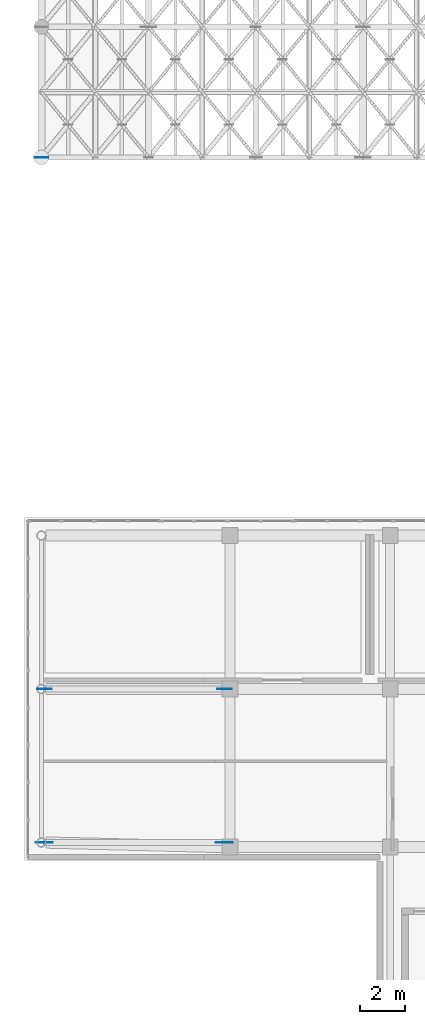
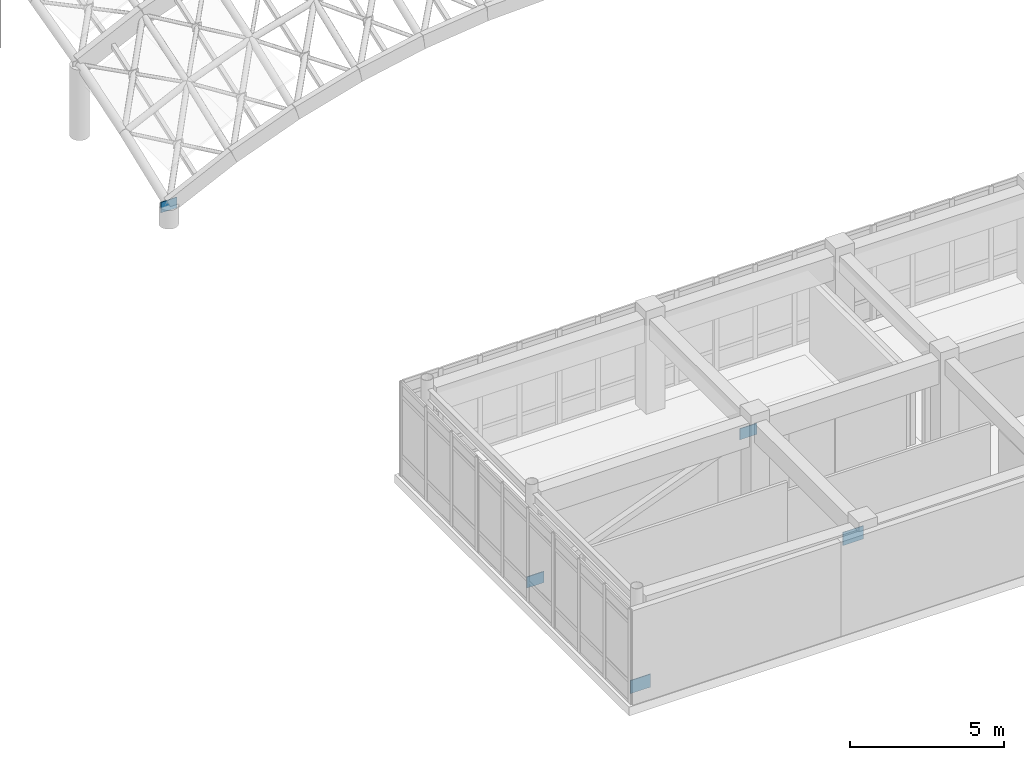
# One storey, part 122 of 146: 5 plates.
"""IFC4 building model written with IfcOpenShell, lengths in metres."""

from ifc_helpers import new_model, si_unit, direction, frame, origin, origin_2d, place, context, subcontext, project, spatial, rectangle, extrude, material, layer, layer_set, type_object, element, save


model = new_model("IFC4")

# Units and contexts
model_context = context("Model", 3, precision=1e-05, world=origin(), true_north=direction((0.0, 1.0)))
body_context = subcontext(model_context, "Body", "Model", "MODEL_VIEW")
ifc_project = project(units=[si_unit("LENGTHUNIT", "METRE"), si_unit("AREAUNIT", "SQUARE_METRE"), si_unit("VOLUMEUNIT", "CUBIC_METRE"), si_unit("PLANEANGLEUNIT", "RADIAN"), si_unit("MASSUNIT", "GRAM", prefix="KILO")], contexts=[model_context])

# Site, building, storey
site_placement = place(None, origin())
site = spatial("IfcSite", under=ifc_project, at=site_placement, CompositionType="ELEMENT")
building_placement = place(site_placement, origin())
building = spatial("IfcBuilding", under=site, at=building_placement, Name="Valcora Specialist Clinic", CompositionType="ELEMENT")
storey_placement = place(building_placement, frame((0.0, 0.0, 9.52001953125)))
storey = spatial("IfcBuildingStorey", under=building, at=storey_placement, Name="L02", CompositionType="ELEMENT", Elevation=9.52001953125)

# Plates
ifc_material = material(Name="Steel ASTM A572 Grade 50", Category="steel")
ifc_layer_1 = layer(ifc_material, 0.030029296875)
ifc_layer_set_1 = layer_set([ifc_layer_1], Name="Steel ASTM A572 Grade 50")
plate_type_1 = type_object("IfcPlateType", Name="TY-PL-CANT1", PredefinedType="USERDEFINED", material=ifc_layer_set_1)
for number, where, z_axis, x_axis, name in (
    (1, (8.85009765625, 8.39990234375, 2.955078125), (0.0, 0.0, 1.0), (1.0, 0.0, 0.0), "Cantilever truss upper gusset L02"),
    (2, (0.8798828125, 8.39990234375, -0.1201171875), (0.0, 0.0, 1.0), (1.0, 0.0, 0.0), "Cantilever truss lower gusset L02"),
):
    element("IfcPlate", number, at=place(storey_placement, frame(where, z_axis=z_axis, x_axis=x_axis)), inside=storey, type_object=plate_type_1, Name=name, ObjectType="GUSSET_PLATE", PredefinedType="USERDEFINED", context=body_context, shape_type="SweptSolid", body=[
        extrude(rectangle(XDim=0.760009765625, YDim=0.030029296875, at=origin_2d()), origin(), (0.0, 0.0, 1.0), 0.52001953125),
    ])
ifc_layer_2 = layer(ifc_material, 0.028076171875)
ifc_layer_set_2 = layer_set([ifc_layer_2], Name="Steel ASTM A572 Grade 50")
plate_type_2 = type_object("IfcPlateType", Name="TY-PL-CANT2", PredefinedType="USERDEFINED", material=ifc_layer_set_2)
for number, where, z_axis, x_axis, name in (
    (3, (8.85009765625, 15.199951171875, 2.9951171875), (0.0, 0.0, 1.0), (1.0, 0.0, 0.0), "Cantilever truss upper gusset L02"),
    (4, (0.8798828125, 15.199951171875, -0.080078125), (0.0, 0.0, 1.0), (1.0, 0.0, 0.0), "Cantilever truss lower gusset L02"),
):
    element("IfcPlate", number, at=place(storey_placement, frame(where, z_axis=z_axis, x_axis=x_axis)), inside=storey, type_object=plate_type_2, Name=name, ObjectType="GUSSET_PLATE", PredefinedType="USERDEFINED", context=body_context, shape_type="SweptSolid", body=[
        extrude(rectangle(XDim=0.639892578125, YDim=0.028076171875, at=origin_2d()), origin(), (0.0, 0.0, 1.0), 0.43994140625),
    ])
ifc_layer_3 = layer(ifc_material, 0.02392578125)
ifc_layer_set_3 = layer_set([ifc_layer_3], Name="Steel ASTM A572 Grade 50")
plate_type_3 = type_object("IfcPlateType", Name="TY-PL-GS2", PredefinedType="USERDEFINED", material=ifc_layer_set_3)
plate_placement = place(storey_placement, frame((0.75, 38.75, 0.527099609375), z_axis=(0.0, 0.0, 1.0), x_axis=(1.0, 0.0, 0.0)))
element("IfcPlate", 5, at=plate_placement, inside=storey, type_object=plate_type_3, Name="Gridshell node gusset plate PL-GSN-001", ObjectType="GUSSET_PLATE", PredefinedType="USERDEFINED", context=body_context, shape_type="SweptSolid", body=[
    extrude(rectangle(XDim=0.60009765625, YDim=0.02392578125, at=origin_2d()), origin(), (0.0, 0.0, 1.0), 0.419921875),
])

save(model, "model.ifc")
